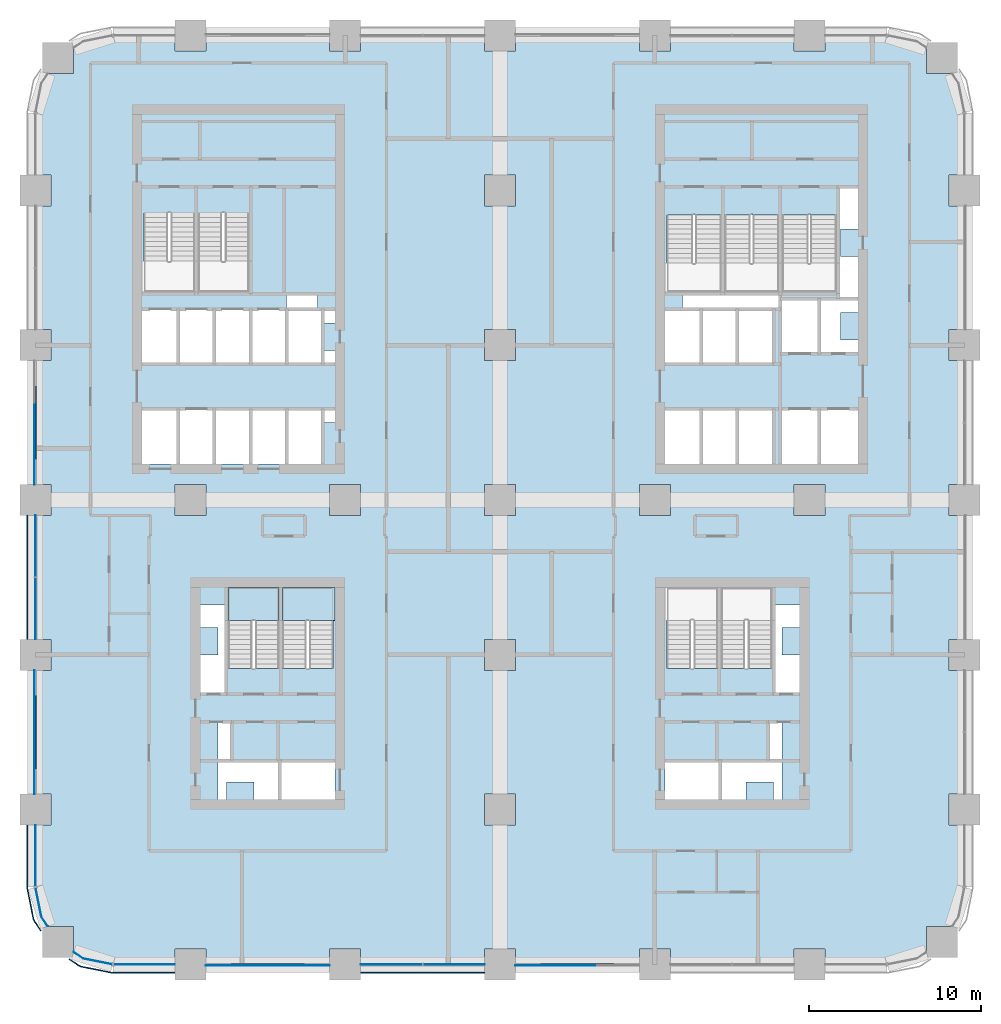
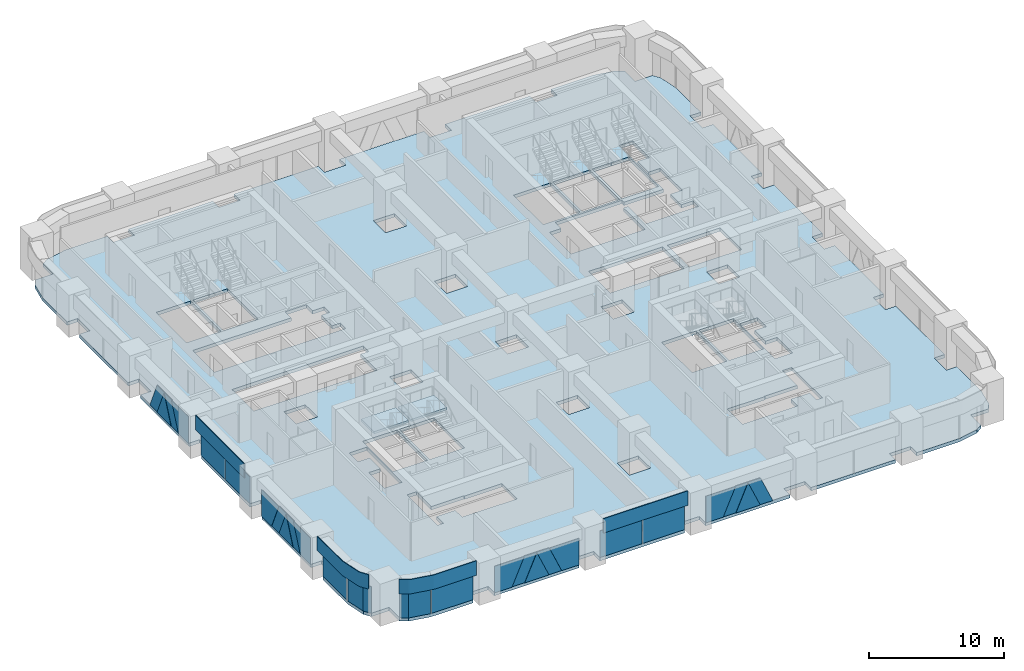
# One storey, part 10 of 21: 26 plates, 3 slabs, 10 elements without a shape of their own.
"""IFC4 building model written with IfcOpenShell, lengths in metres."""

from ifc_helpers import new_model, si_unit, direction, frame, origin, origin_2d, place, context, subcontext, project, spatial, polyline, rectangle, outline, extrude, material, layer, layer_set, type_object, element, aggregate, save


model = new_model("IFC4")

# Units and contexts
model_context = context("Model", 3, precision=1e-05, world=origin(), true_north=direction((0.0, 1.0)))
body_context = subcontext(model_context, "Body", "Model", "MODEL_VIEW")
ifc_project = project(units=[si_unit("LENGTHUNIT", "METRE"), si_unit("AREAUNIT", "SQUARE_METRE"), si_unit("VOLUMEUNIT", "CUBIC_METRE"), si_unit("PLANEANGLEUNIT", "RADIAN"), si_unit("MASSUNIT", "GRAM", prefix="KILO")], contexts=[model_context])

# Site, building, storey
site_placement = place(None, origin())
site = spatial("IfcSite", under=ifc_project, at=site_placement, CompositionType="ELEMENT")
building_placement = place(site_placement, origin())
building = spatial("IfcBuilding", under=site, at=building_placement, Name="Tessera Arch", CompositionType="ELEMENT")
storey_placement = place(building_placement, frame((0.0, 0.0, 65.199951171875)))
storey = spatial("IfcBuildingStorey", under=building, at=storey_placement, Name="L14", CompositionType="ELEMENT", Elevation=65.199951171875)

# Curtain wall, plates
ifc_material_1 = material(Name="CW1 curtain wall")
curtain_wall_type_1 = type_object("IfcCurtainWallType", Name="CW1 curtain wall", PredefinedType="NOTDEFINED", material=ifc_material_1)
curtain_wall_1_placement = place(storey_placement, origin())
curtain_wall_1 = element("IfcCurtainWall", 1, at=curtain_wall_1_placement, inside=storey, type_object=curtain_wall_type_1, Name="CW1 curtain wall S0.0/1 L14", PredefinedType="NOTDEFINED")
ifc_material_2 = material(Name="Clear low-e glass", Category="glass")
ifc_material_3 = material(Name="Clear low-e glass", Category="glass")
ifc_layer_1 = layer(ifc_material_3, 0.028076171875)
ifc_layer_set_1 = layer_set([ifc_layer_1], Name="CW1 glass panel")
plate_type_1 = type_object("IfcPlateType", Name="CW1 glass panel", PredefinedType="CURTAIN_PANEL", material=ifc_layer_set_1)
plate_1_placement = place(storey_placement, frame((20.68505859375, 0.0, 0.0), z_axis=(0.0, 0.0, 1.0), x_axis=(1.0, 0.0, 0.0)))
plate_1 = element("IfcPlate", 2, at=plate_1_placement, type_object=plate_type_1, material=ifc_material_2, Name="CW1 glass panel S0.0/1 1.1.1", PredefinedType="CURTAIN_PANEL", context=body_context, shape_type="SweptSolid", body=[
    extrude(rectangle(XDim=3.570068359375, YDim=0.028076171875, at=origin_2d()), origin(), (0.0, 0.0, 1.0), 2.39990234375),
])
plate_2_placement = place(storey_placement, frame((24.31494140625, 0.0, 0.0), z_axis=(0.0, 0.0, 1.0), x_axis=(1.0, 0.0, 0.0)))
plate_2 = element("IfcPlate", 3, at=plate_2_placement, type_object=plate_type_1, material=ifc_material_2, Name="CW1 glass panel S0.0/1 1.2.1", PredefinedType="CURTAIN_PANEL", context=body_context, shape_type="SweptSolid", body=[
    extrude(rectangle(XDim=3.570068359375, YDim=0.028076171875, at=origin_2d()), origin(), (0.0, 0.0, 1.0), 2.39990234375),
])

curtain_wall_2_placement = place(storey_placement, origin())
curtain_wall_2 = element("IfcCurtainWall", 4, at=curtain_wall_2_placement, inside=storey, type_object=curtain_wall_type_1, Name="CW1 curtain wall W0.0/3 L14", PredefinedType="NOTDEFINED")
plate_3_placement = place(storey_placement, frame((0.0, 24.31494140625, 0.0), z_axis=(0.0, 0.0, 1.0), x_axis=(0.0, -1.0, 0.0)))
plate_3 = element("IfcPlate", 5, at=plate_3_placement, type_object=plate_type_1, material=ifc_material_2, Name="CW1 glass panel W0.0/3 1.1.1", PredefinedType="CURTAIN_PANEL", context=body_context, shape_type="SweptSolid", body=[
    extrude(rectangle(XDim=3.570068359375, YDim=0.028076171875, at=origin_2d()), origin(), (0.0, 0.0, 1.0), 2.39990234375),
])
plate_4_placement = place(storey_placement, frame((0.0, 20.68505859375, 0.0), z_axis=(0.0, 0.0, 1.0), x_axis=(0.0, -1.0, 0.0)))
plate_4 = element("IfcPlate", 6, at=plate_4_placement, type_object=plate_type_1, material=ifc_material_2, Name="CW1 glass panel W0.0/3 1.2.1", PredefinedType="CURTAIN_PANEL", context=body_context, shape_type="SweptSolid", body=[
    extrude(rectangle(XDim=3.570068359375, YDim=0.028076171875, at=origin_2d()), origin(), (0.0, 0.0, 1.0), 2.39990234375),
])

# Plate
ifc_material_4 = material(Name="Pale anodised aluminium panel", Category="aluminium")
ifc_layer_2 = layer(ifc_material_4, 0.06005859375)
ifc_layer_set_2 = layer_set([ifc_layer_2], Name="CW1 spandrel panel")
plate_type_2 = type_object("IfcPlateType", Name="CW1 spandrel panel", PredefinedType="CURTAIN_PANEL", material=ifc_layer_set_2)
plate_5_placement = place(storey_placement, frame((22.5, -0.47998046875, 2.5), z_axis=(0.0, 0.0, 1.0), x_axis=(1.0, 0.0, 0.0)))
plate_5 = element("IfcPlate", 7, at=plate_5_placement, type_object=plate_type_2, Name="CW1 spandrel panel S0.0/1", PredefinedType="CURTAIN_PANEL", context=body_context, shape_type="SweptSolid", body=[
    extrude(rectangle(XDim=7.199951171875, YDim=0.06005859375, at=origin_2d()), origin(), (0.0, 0.0, 1.0), 1.300048828125),
])

aggregate(curtain_wall_1, [plate_1, plate_2, plate_5])

plate_6_placement = place(storey_placement, frame((-0.47998046875, 22.5, 2.5), z_axis=(0.0, 0.0, 1.0), x_axis=(0.0, -1.0, 0.0)))
plate_6 = element("IfcPlate", 8, at=plate_6_placement, type_object=plate_type_2, Name="CW1 spandrel panel W0.0/3", PredefinedType="CURTAIN_PANEL", context=body_context, shape_type="SweptSolid", body=[
    extrude(rectangle(XDim=7.199951171875, YDim=0.06005859375, at=origin_2d()), origin(), (0.0, 0.0, 1.0), 1.300048828125),
])

aggregate(curtain_wall_2, [plate_3, plate_4, plate_6])

# Curtain wall, plates
ifc_material_5 = material(Name="CW2 curtain wall")
curtain_wall_type_2 = type_object("IfcCurtainWallType", Name="CW2 curtain wall", PredefinedType="NOTDEFINED", material=ifc_material_5)
curtain_wall_3_placement = place(storey_placement, origin())
curtain_wall_3 = element("IfcCurtainWall", 9, at=curtain_wall_3_placement, inside=storey, type_object=curtain_wall_type_2, Name="CW2 curtain wall W0.0/5 L14", PredefinedType="NOTDEFINED")
ifc_material_6 = material(Name="Clear low-e glass", Category="glass")
ifc_layer_3 = layer(ifc_material_6, 0.028076171875)
ifc_layer_set_3 = layer_set([ifc_layer_3], Name="CW2 glass panel")
plate_type_3 = type_object("IfcPlateType", Name="CW2 glass panel", PredefinedType="CURTAIN_PANEL", material=ifc_layer_set_3)
plate_7_placement = place(storey_placement, frame((0.0, 6.320068359375, 0.0), z_axis=(0.0, 0.0, 1.0), x_axis=(0.0, -1.0, 0.0)))
plate_7 = element("IfcPlate", 10, at=plate_7_placement, type_object=plate_type_3, material=ifc_material_2, Name="CW2 glass panel W0.0/5 1.1", PredefinedType="CURTAIN_PANEL", context=body_context, shape_type="SweptSolid", body=[
    extrude(rectangle(XDim=3.56005859375, YDim=0.028076171875, at=origin_2d()), origin(), (0.0, 0.0, 1.0), 2.39990234375),
])
plate_8_placement = place(storey_placement, origin())
plate_8 = element("IfcPlate", 11, at=plate_8_placement, type_object=plate_type_3, material=ifc_material_2, Name="CW2 curved glass panel W0.0/5 2.1", PredefinedType="CURTAIN_PANEL", context=body_context, shape_type="SweptSolid", body=[
    extrude(outline(polyline([(0.355712890625, 2.783447265625), (0.021484375, 4.46337890625), (-0.005859375, 4.4580078125), (0.329345703125, 2.7724609375), (0.705078125, 2.210205078125), (0.728271484375, 2.225830078125), (0.355712890625, 2.783447265625)])), origin(), (0.0, 0.0, 1.0), 2.400146484375),
])

curtain_wall_4_placement = place(storey_placement, origin())
curtain_wall_4 = element("IfcCurtainWall", 12, at=curtain_wall_4_placement, inside=storey, type_object=curtain_wall_type_2, Name="CW2 curtain wall S0.0/5 L14", PredefinedType="NOTDEFINED")
plate_9_placement = place(storey_placement, frame((6.320068359375, 0.0, 0.0), z_axis=(0.0, 0.0, 1.0), x_axis=(1.0, 0.0, 0.0)))
plate_9 = element("IfcPlate", 13, at=plate_9_placement, type_object=plate_type_3, material=ifc_material_2, Name="CW2 glass panel S0.0/5 1.1", PredefinedType="CURTAIN_PANEL", context=body_context, shape_type="SweptSolid", body=[
    extrude(rectangle(XDim=3.56005859375, YDim=0.028076171875, at=origin_2d()), origin(), (0.0, 0.0, 1.0), 2.39990234375),
])
plate_10_placement = place(storey_placement, origin())
plate_10 = element("IfcPlate", 14, at=plate_10_placement, type_object=plate_type_3, material=ifc_material_2, Name="CW2 curved glass panel S0.0/5 2.1", PredefinedType="CURTAIN_PANEL", context=body_context, shape_type="SweptSolid", body=[
    extrude(outline(polyline([(2.783447265625, 0.355712890625), (2.225830078125, 0.728271484375), (2.210205078125, 0.705078125), (2.7724609375, 0.329345703125), (4.4580078125, -0.005859375), (4.46337890625, 0.021484375), (2.783447265625, 0.355712890625)])), origin(), (0.0, 0.0, 1.0), 2.400146484375),
])

# Plate
ifc_material_7 = material(Name="Pale anodised aluminium panel", Category="aluminium")
ifc_layer_4 = layer(ifc_material_7, 0.06005859375)
ifc_layer_set_4 = layer_set([ifc_layer_4], Name="CW2 spandrel panel")
plate_type_4 = type_object("IfcPlateType", Name="CW2 spandrel panel", PredefinedType="CURTAIN_PANEL", material=ifc_layer_set_4)
plate_11_placement = place(storey_placement, frame((0.0, 0.0, 2.5)))
plate_11 = element("IfcPlate", 15, at=plate_11_placement, type_object=plate_type_4, Name="CW2 spandrel panel W0.0/5", PredefinedType="CURTAIN_PANEL", context=body_context, shape_type="SweptSolid", body=[
    extrude(outline(polyline([(-0.449951171875, 4.500732421875), (-0.449951171875, 8.10009765625), (-0.510009765625, 8.10009765625), (-0.510009765625, 4.499267578125), (-0.507568359375, 4.449951171875), (-0.500244140625, 4.401123046875), (-0.157470703125, 2.677734375), (-0.1455078125, 2.6298828125), (-0.128662109375, 2.582763671875), (-0.107177734375, 2.537353515625), (-0.08203125, 2.4951171875), (0.292724609375, 1.9345703125), (0.342529296875, 1.968017578125), (-0.03125, 2.52734375), (-0.05419921875, 2.565673828125), (-0.0732421875, 2.605712890625), (-0.088134765625, 2.647216796875), (-0.09912109375, 2.69091796875), (-0.441162109375, 4.411376953125), (-0.44775390625, 4.455810546875), (-0.449951171875, 4.500732421875)])), origin(), (0.0, 0.0, 1.0), 1.300048828125),
])

aggregate(curtain_wall_3, [plate_7, plate_8, plate_11])

plate_12_placement = place(storey_placement, frame((0.0, 0.0, 2.5)))
plate_12 = element("IfcPlate", 16, at=plate_12_placement, type_object=plate_type_4, Name="CW2 spandrel panel S0.0/5", PredefinedType="CURTAIN_PANEL", context=body_context, shape_type="SweptSolid", body=[
    extrude(outline(polyline([(2.52734375, -0.03125), (1.968017578125, 0.342529296875), (1.9345703125, 0.292724609375), (2.4951171875, -0.08203125), (2.537353515625, -0.107177734375), (2.582763671875, -0.128662109375), (2.6298828125, -0.1455078125), (2.677734375, -0.157470703125), (4.401123046875, -0.500244140625), (4.449951171875, -0.507568359375), (4.499267578125, -0.510009765625), (8.10009765625, -0.510009765625), (8.10009765625, -0.449951171875), (4.500732421875, -0.449951171875), (4.455810546875, -0.44775390625), (4.411376953125, -0.441162109375), (2.69091796875, -0.09912109375), (2.647216796875, -0.088134765625), (2.605712890625, -0.0732421875), (2.565673828125, -0.05419921875), (2.52734375, -0.03125)])), origin(), (0.0, 0.0, 1.0), 1.300048828125),
])

aggregate(curtain_wall_4, [plate_9, plate_10, plate_12])

# Curtain wall, plate
ifc_material_8 = material(Name="CW3 curtain wall")
curtain_wall_type_3 = type_object("IfcCurtainWallType", Name="CW3 curtain wall", PredefinedType="NOTDEFINED", material=ifc_material_8)
curtain_wall_5_placement = place(storey_placement, origin())
curtain_wall_5 = element("IfcCurtainWall", 17, at=curtain_wall_5_placement, inside=storey, type_object=curtain_wall_type_3, Name="CW3 curtain wall S0.0/0 L14", PredefinedType="NOTDEFINED")
ifc_material_9 = material(Name="Pale anodised aluminium panel", Category="aluminium")
ifc_layer_5 = layer(ifc_material_9, 0.06005859375)
ifc_layer_set_5 = layer_set([ifc_layer_5], Name="CW3 diagonal panel")
plate_type_5 = type_object("IfcPlateType", Name="CW3 diagonal panel", PredefinedType="CURTAIN_PANEL", material=ifc_layer_set_5)
plate_13_placement = place(storey_placement, frame((14.569580078125, -0.030029296875, 2.400146484375), z_axis=(0.0, -1.0, 0.0), x_axis=(-1.0, 0.0, 0.0)))
plate_13 = element("IfcPlate", 18, at=plate_13_placement, type_object=plate_type_5, Name="CW3 diagonal panel S0.0/0 1", PredefinedType="CURTAIN_PANEL", context=body_context, shape_type="SweptSolid", body=[
    extrude(outline(polyline([(0.0, 0.0), (2.13916015625, 0.0), (3.19287109375, 2.400146484375), (2.107177734375, 2.400146484375), (1.069580078125, 0.036376953125), (0.031982421875, 2.400146484375), (-1.0537109375, 2.400146484375), (0.0, 0.0)])), origin(), (0.0, 0.0, -1.0), 0.06005859375),
])

curtain_wall_6_placement = place(storey_placement, origin())
curtain_wall_6 = element("IfcCurtainWall", 19, at=curtain_wall_6_placement, inside=storey, type_object=curtain_wall_type_3, Name="CW3 curtain wall S0.0/2 L14", PredefinedType="NOTDEFINED")
plate_14_placement = place(storey_placement, frame((32.569580078125, -0.030029296875, 2.400146484375), z_axis=(0.0, -1.0, 0.0), x_axis=(-1.0, 0.0, 0.0)))
plate_14 = element("IfcPlate", 20, at=plate_14_placement, type_object=plate_type_5, Name="CW3 diagonal panel S0.0/2 1", PredefinedType="CURTAIN_PANEL", context=body_context, shape_type="SweptSolid", body=[
    extrude(outline(polyline([(0.0, 0.0), (2.13916015625, 0.0), (3.19287109375, 2.400146484375), (2.107177734375, 2.400146484375), (1.069580078125, 0.036376953125), (0.031982421875, 2.400146484375), (-1.0537109375, 2.400146484375), (0.0, 0.0)])), origin(), (0.0, 0.0, -1.0), 0.06005859375),
])

curtain_wall_7_placement = place(storey_placement, origin())
curtain_wall_7 = element("IfcCurtainWall", 21, at=curtain_wall_7_placement, inside=storey, type_object=curtain_wall_type_3, Name="CW3 curtain wall W0.0/2 L14", PredefinedType="NOTDEFINED")
plate_15_placement = place(storey_placement, frame((-0.030029296875, 30.430419921875, 2.400146484375), z_axis=(-1.0, 0.0, 0.0), x_axis=(0.0, 1.0, 0.0)))
plate_15 = element("IfcPlate", 22, at=plate_15_placement, type_object=plate_type_5, Name="CW3 diagonal panel W0.0/2 1", PredefinedType="CURTAIN_PANEL", context=body_context, shape_type="SweptSolid", body=[
    extrude(outline(polyline([(0.0, 0.0), (2.13916015625, 0.0), (3.19287109375, 2.400146484375), (2.107177734375, 2.400146484375), (1.069580078125, 0.036376953125), (0.031982421875, 2.400146484375), (-1.0537109375, 2.400146484375), (0.0, 0.0)])), origin(), (0.0, 0.0, -1.0), 0.06005859375),
])

curtain_wall_8_placement = place(storey_placement, origin())
curtain_wall_8 = element("IfcCurtainWall", 23, at=curtain_wall_8_placement, inside=storey, type_object=curtain_wall_type_3, Name="CW3 curtain wall W0.0/4 L14", PredefinedType="NOTDEFINED")
plate_16_placement = place(storey_placement, frame((-0.030029296875, 12.430419921875, 2.400146484375), z_axis=(-1.0, 0.0, 0.0), x_axis=(0.0, 1.0, 0.0)))
plate_16 = element("IfcPlate", 24, at=plate_16_placement, type_object=plate_type_5, Name="CW3 diagonal panel W0.0/4 1", PredefinedType="CURTAIN_PANEL", context=body_context, shape_type="SweptSolid", body=[
    extrude(outline(polyline([(0.0, 0.0), (2.13916015625, 0.0), (3.19287109375, 2.400146484375), (2.107177734375, 2.400146484375), (1.069580078125, 0.036376953125), (0.031982421875, 2.400146484375), (-1.0537109375, 2.400146484375), (0.0, 0.0)])), origin(), (0.0, 0.0, -1.0), 0.06005859375),
])

# Plate
ifc_material_10 = material(Name="Clear low-e glass", Category="glass")
ifc_layer_6 = layer(ifc_material_10, 0.028076171875)
ifc_layer_set_6 = layer_set([ifc_layer_6], Name="CW3 glass panel")
plate_type_6 = type_object("IfcPlateType", Name="CW3 glass panel", PredefinedType="CURTAIN_PANEL", material=ifc_layer_set_6)
plate_17_placement = place(storey_placement, frame((9.89990234375, -0.05810546875, 0.0), z_axis=(0.0, -1.0, 0.0), x_axis=(1.0, 0.0, 0.0)))
plate_17 = element("IfcPlate", 25, at=plate_17_placement, type_object=plate_type_6, material=ifc_material_2, Name="CW3 triangulated glass panel S0.0/0 1", PredefinedType="CURTAIN_PANEL", context=body_context, shape_type="SweptSolid", body=[
    extrude(outline(polyline([(0.0, 0.0), (1.476806640625, 0.0), (2.530517578125, 2.400146484375), (0.0, 2.400146484375), (0.0, 0.0)])), origin(), (0.0, 0.0, -1.0), 0.028076171875),
])

plate_18_placement = place(storey_placement, frame((12.46240234375, -0.05810546875, 0.0), z_axis=(0.0, -1.0, 0.0), x_axis=(1.0, 0.0, 0.0)))
plate_18 = element("IfcPlate", 26, at=plate_18_placement, type_object=plate_type_6, material=ifc_material_2, Name="CW3 triangulated glass panel S0.0/0 2", PredefinedType="CURTAIN_PANEL", context=body_context, shape_type="SweptSolid", body=[
    extrude(outline(polyline([(0.0, 0.0), (2.0751953125, 0.0), (1.03759765625, 2.36376953125), (0.0, 0.0)])), origin(), (0.0, 0.0, -1.0), 0.028076171875),
])

plate_19_placement = place(storey_placement, frame((17.10009765625, -0.05810546875, 2.400146484375), z_axis=(0.0, -1.0, 0.0), x_axis=(-1.0, 0.0, 0.0)))
plate_19 = element("IfcPlate", 27, at=plate_19_placement, type_object=plate_type_6, material=ifc_material_2, Name="CW3 triangulated glass panel S0.0/0 3", PredefinedType="CURTAIN_PANEL", context=body_context, shape_type="SweptSolid", body=[
    extrude(outline(polyline([(0.0, 0.0), (2.530517578125, 0.0), (1.476806640625, 2.400146484375), (0.0, 2.400146484375), (0.0, 0.0)])), origin(), (0.0, 0.0, -1.0), 0.028076171875),
])

aggregate(curtain_wall_5, [plate_17, plate_18, plate_19, plate_13])

plate_20_placement = place(storey_placement, frame((27.89990234375, -0.05810546875, 0.0), z_axis=(0.0, -1.0, 0.0), x_axis=(1.0, 0.0, 0.0)))
plate_20 = element("IfcPlate", 28, at=plate_20_placement, type_object=plate_type_6, material=ifc_material_2, Name="CW3 triangulated glass panel S0.0/2 1", PredefinedType="CURTAIN_PANEL", context=body_context, shape_type="SweptSolid", body=[
    extrude(outline(polyline([(0.0, 0.0), (1.476806640625, 0.0), (2.530517578125, 2.400146484375), (0.0, 2.400146484375), (0.0, 0.0)])), origin(), (0.0, 0.0, -1.0), 0.028076171875),
])

plate_21_placement = place(storey_placement, frame((30.46240234375, -0.05810546875, 0.0), z_axis=(0.0, -1.0, 0.0), x_axis=(1.0, 0.0, 0.0)))
plate_21 = element("IfcPlate", 29, at=plate_21_placement, type_object=plate_type_6, material=ifc_material_2, Name="CW3 triangulated glass panel S0.0/2 2", PredefinedType="CURTAIN_PANEL", context=body_context, shape_type="SweptSolid", body=[
    extrude(outline(polyline([(0.0, 0.0), (2.0751953125, 0.0), (1.03759765625, 2.36376953125), (0.0, 0.0)])), origin(), (0.0, 0.0, -1.0), 0.028076171875),
])

aggregate(curtain_wall_6, [plate_20, plate_21, plate_14])

plate_22_placement = place(storey_placement, frame((-0.05810546875, 32.53759765625, 0.0), z_axis=(-1.0, 0.0, 0.0), x_axis=(0.0, -1.0, 0.0)))
plate_22 = element("IfcPlate", 30, at=plate_22_placement, type_object=plate_type_6, material=ifc_material_2, Name="CW3 triangulated glass panel W0.0/2 2", PredefinedType="CURTAIN_PANEL", context=body_context, shape_type="SweptSolid", body=[
    extrude(outline(polyline([(0.0, 0.0), (2.0751953125, 0.0), (1.03759765625, 2.36376953125), (0.0, 0.0)])), origin(), (0.0, 0.0, -1.0), 0.028076171875),
])

plate_23_placement = place(storey_placement, frame((-0.05810546875, 27.89990234375, 2.400146484375), z_axis=(-1.0, 0.0, 0.0), x_axis=(0.0, 1.0, 0.0)))
plate_23 = element("IfcPlate", 31, at=plate_23_placement, type_object=plate_type_6, material=ifc_material_2, Name="CW3 triangulated glass panel W0.0/2 3", PredefinedType="CURTAIN_PANEL", context=body_context, shape_type="SweptSolid", body=[
    extrude(outline(polyline([(0.0, 0.0), (2.530517578125, 0.0), (1.476806640625, 2.400146484375), (0.0, 2.400146484375), (0.0, 0.0)])), origin(), (0.0, 0.0, -1.0), 0.028076171875),
])

aggregate(curtain_wall_7, [plate_22, plate_23, plate_15])

plate_24_placement = place(storey_placement, frame((-0.05810546875, 17.10009765625, 0.0), z_axis=(-1.0, 0.0, 0.0), x_axis=(0.0, -1.0, 0.0)))
plate_24 = element("IfcPlate", 32, at=plate_24_placement, type_object=plate_type_6, material=ifc_material_2, Name="CW3 triangulated glass panel W0.0/4 1", PredefinedType="CURTAIN_PANEL", context=body_context, shape_type="SweptSolid", body=[
    extrude(outline(polyline([(0.0, 0.0), (1.476806640625, 0.0), (2.530517578125, 2.400146484375), (0.0, 2.400146484375), (0.0, 0.0)])), origin(), (0.0, 0.0, -1.0), 0.028076171875),
])

plate_25_placement = place(storey_placement, frame((-0.05810546875, 14.53759765625, 0.0), z_axis=(-1.0, 0.0, 0.0), x_axis=(0.0, -1.0, 0.0)))
plate_25 = element("IfcPlate", 33, at=plate_25_placement, type_object=plate_type_6, material=ifc_material_2, Name="CW3 triangulated glass panel W0.0/4 2", PredefinedType="CURTAIN_PANEL", context=body_context, shape_type="SweptSolid", body=[
    extrude(outline(polyline([(0.0, 0.0), (2.0751953125, 0.0), (1.03759765625, 2.36376953125), (0.0, 0.0)])), origin(), (0.0, 0.0, -1.0), 0.028076171875),
])

plate_26_placement = place(storey_placement, frame((-0.05810546875, 9.89990234375, 2.400146484375), z_axis=(-1.0, 0.0, 0.0), x_axis=(0.0, 1.0, 0.0)))
plate_26 = element("IfcPlate", 34, at=plate_26_placement, type_object=plate_type_6, material=ifc_material_2, Name="CW3 triangulated glass panel W0.0/4 3", PredefinedType="CURTAIN_PANEL", context=body_context, shape_type="SweptSolid", body=[
    extrude(outline(polyline([(0.0, 0.0), (2.530517578125, 0.0), (1.476806640625, 2.400146484375), (0.0, 2.400146484375), (0.0, 0.0)])), origin(), (0.0, 0.0, -1.0), 0.028076171875),
])

aggregate(curtain_wall_8, [plate_24, plate_25, plate_26, plate_16])

# Slab
ifc_material_11 = material(Name="Concrete C40/50", Category="concrete")
ifc_layer_7 = layer(ifc_material_11, 0.300048828125)
ifc_layer_set_7 = layer_set([ifc_layer_7], Name="Floor slab 300 Concrete C40/50")
slab_type_1 = type_object("IfcSlabType", Name="Floor slab 300 Concrete C40/50", PredefinedType="FLOOR", material=ifc_layer_set_7)
slab_1_placement = place(storey_placement, frame((0.0, 0.0, -0.300048828125)))
element("IfcSlab", 35, at=slab_1_placement, inside=storey, type_object=slab_type_1, Name="Floor slab L14 1", PredefinedType="FLOOR", context=body_context, shape_type="SweptSolid", body=[
    extrude(outline(polyline([(4.5, 0.0), (2.77783203125, 0.342529296875), (2.218017578125, 0.716552734375), (2.218017578125, 2.218017578125), (0.716552734375, 2.218017578125), (0.342529296875, 2.77783203125), (0.0, 4.5), (0.0, 8.10009765625), (0.89990234375, 8.10009765625), (0.89990234375, 9.89990234375), (0.0, 9.89990234375), (0.0, 17.10009765625), (0.89990234375, 17.10009765625), (0.89990234375, 18.89990234375), (0.0, 18.89990234375), (0.0, 26.10009765625), (0.89990234375, 26.10009765625), (0.89990234375, 27.89990234375), (0.0, 27.89990234375), (0.0, 35.10009765625), (0.89990234375, 35.10009765625), (0.89990234375, 36.89990234375), (0.0, 36.89990234375), (0.0, 44.10009765625), (0.89990234375, 44.10009765625), (0.89990234375, 45.89990234375), (0.0, 45.89990234375), (0.0, 49.5), (0.342529296875, 51.22216796875), (0.716552734375, 51.781982421875), (2.218017578125, 51.781982421875), (2.218017578125, 53.283447265625), (2.77783203125, 53.657470703125), (4.5, 54.0), (8.10009765625, 54.0), (8.10009765625, 53.10009765625), (9.89990234375, 53.10009765625), (9.89990234375, 54.0), (17.10009765625, 54.0), (17.10009765625, 53.10009765625), (18.89990234375, 53.10009765625), (18.89990234375, 54.0), (26.10009765625, 54.0), (26.10009765625, 53.10009765625), (27.89990234375, 53.10009765625), (27.89990234375, 54.0), (35.10009765625, 54.0), (35.10009765625, 53.10009765625), (36.89990234375, 53.10009765625), (36.89990234375, 54.0), (44.10009765625, 54.0), (44.10009765625, 53.10009765625), (45.89990234375, 53.10009765625), (45.89990234375, 54.0), (49.5, 54.0), (51.22216796875, 53.657470703125), (51.781982421875, 53.283447265625), (51.781982421875, 51.781982421875), (53.283447265625, 51.781982421875), (53.657470703125, 51.22216796875), (54.0, 49.5), (54.0, 45.89990234375), (53.10009765625, 45.89990234375), (53.10009765625, 44.10009765625), (54.0, 44.10009765625), (54.0, 36.89990234375), (53.10009765625, 36.89990234375), (53.10009765625, 35.10009765625), (54.0, 35.10009765625), (54.0, 27.89990234375), (53.10009765625, 27.89990234375), (53.10009765625, 26.10009765625), (54.0, 26.10009765625), (54.0, 18.89990234375), (53.10009765625, 18.89990234375), (53.10009765625, 17.10009765625), (54.0, 17.10009765625), (54.0, 9.89990234375), (53.10009765625, 9.89990234375), (53.10009765625, 8.10009765625), (54.0, 8.10009765625), (54.0, 4.5), (53.657470703125, 2.77783203125), (53.283447265625, 2.218017578125), (51.781982421875, 2.218017578125), (51.781982421875, 0.716552734375), (51.22216796875, 0.342529296875), (49.5, 0.0), (45.89990234375, 0.0), (45.89990234375, 0.89990234375), (44.10009765625, 0.89990234375), (44.10009765625, 0.0), (36.89990234375, 0.0), (36.89990234375, 0.89990234375), (35.10009765625, 0.89990234375), (35.10009765625, 0.0), (27.89990234375, 0.0), (27.89990234375, 0.89990234375), (26.10009765625, 0.89990234375), (26.10009765625, 0.0), (18.89990234375, 0.0), (18.89990234375, 0.89990234375), (17.10009765625, 0.89990234375), (17.10009765625, 0.0), (9.89990234375, 0.0), (9.89990234375, 0.89990234375), (8.10009765625, 0.89990234375), (8.10009765625, 0.0), (4.5, 0.0)]), holes=[polyline([(11.10009765625, 9.60009765625), (11.10009765625, 10.60009765625), (12.699951171875, 10.60009765625), (12.699951171875, 9.60009765625), (14.199951171875, 9.60009765625), (17.39990234375, 9.60009765625), (17.39990234375, 11.85009765625), (14.199951171875, 11.85009765625), (14.199951171875, 11.89990234375), (11.39990234375, 11.89990234375), (11.39990234375, 14.10009765625), (10.60009765625, 14.10009765625), (10.60009765625, 11.89990234375), (10.60009765625, 9.60009765625), (11.10009765625, 9.60009765625)]), polyline([(9.60009765625, 19.60009765625), (10.60009765625, 19.60009765625), (10.60009765625, 18.0), (9.60009765625, 18.0), (9.60009765625, 15.699951171875), (11.10009765625, 15.699951171875), (11.10009765625, 20.89990234375), (9.60009765625, 20.89990234375), (9.60009765625, 19.60009765625)]), polyline([(12.60009765625, 17.2099609375), (12.60009765625, 17.199951171875), (12.75, 17.199951171875), (12.75, 17.2099609375), (14.14990234375, 17.2099609375), (14.14990234375, 21.699951171875), (11.199951171875, 21.699951171875), (11.199951171875, 17.2099609375), (12.60009765625, 17.2099609375)]), polyline([(8.10009765625, 26.10009765625), (9.89990234375, 26.10009765625), (9.89990234375, 27.89990234375), (8.10009765625, 27.89990234375), (8.10009765625, 26.10009765625)]), polyline([(12.5, 29.10009765625), (14.60009765625, 29.10009765625), (16.699951171875, 29.10009765625), (16.699951171875, 31.5), (17.39990234375, 31.5), (17.39990234375, 32.300048828125), (16.699951171875, 32.300048828125), (14.60009765625, 32.300048828125), (12.5, 32.300048828125), (10.39990234375, 32.300048828125), (8.300048828125, 32.300048828125), (6.199951171875, 32.300048828125), (6.199951171875, 29.10009765625), (8.300048828125, 29.10009765625), (10.39990234375, 29.10009765625), (12.5, 29.10009765625)]), polyline([(10.39990234375, 38.10009765625), (8.300048828125, 38.10009765625), (6.199951171875, 38.10009765625), (6.199951171875, 34.89990234375), (8.300048828125, 34.89990234375), (10.39990234375, 34.89990234375), (12.5, 34.89990234375), (14.60009765625, 34.89990234375), (16.699951171875, 34.89990234375), (17.39990234375, 34.89990234375), (17.39990234375, 35.699951171875), (16.699951171875, 35.699951171875), (16.699951171875, 37.300048828125), (17.39990234375, 37.300048828125), (17.39990234375, 38.10009765625), (16.699951171875, 38.10009765625), (16.39990234375, 38.10009765625), (16.39990234375, 39.0), (14.60009765625, 39.0), (14.60009765625, 38.10009765625), (12.5, 38.10009765625), (10.39990234375, 38.10009765625)]), polyline([(11.0, 43.699951171875), (10.85009765625, 43.699951171875), (10.85009765625, 43.68994140625), (9.449951171875, 43.68994140625), (9.449951171875, 39.199951171875), (12.39990234375, 39.199951171875), (12.39990234375, 43.68994140625), (11.0, 43.68994140625), (11.0, 43.699951171875)]), polyline([(7.85009765625, 43.699951171875), (7.699951171875, 43.699951171875), (7.699951171875, 43.68994140625), (6.300048828125, 43.68994140625), (6.300048828125, 39.199951171875), (9.25, 39.199951171875), (9.25, 43.68994140625), (7.85009765625, 43.68994140625), (7.85009765625, 43.699951171875)]), polyline([(26.10009765625, 8.10009765625), (27.89990234375, 8.10009765625), (27.89990234375, 9.89990234375), (26.10009765625, 9.89990234375), (26.10009765625, 8.10009765625)]), polyline([(39.800048828125, 9.60009765625), (41.300048828125, 9.60009765625), (41.300048828125, 10.60009765625), (42.89990234375, 10.60009765625), (42.89990234375, 9.60009765625), (43.39990234375, 9.60009765625), (43.39990234375, 11.89990234375), (43.39990234375, 14.10009765625), (42.60009765625, 14.10009765625), (42.60009765625, 11.89990234375), (39.800048828125, 11.89990234375), (39.800048828125, 11.85009765625), (36.60009765625, 11.85009765625), (36.60009765625, 9.60009765625), (39.800048828125, 9.60009765625)]), polyline([(26.10009765625, 18.89990234375), (26.10009765625, 17.10009765625), (27.89990234375, 17.10009765625), (27.89990234375, 18.89990234375), (26.10009765625, 18.89990234375)]), polyline([(15.75, 17.199951171875), (15.89990234375, 17.199951171875), (15.89990234375, 17.2099609375), (17.300048828125, 17.2099609375), (17.300048828125, 21.699951171875), (14.35009765625, 21.699951171875), (14.35009765625, 17.2099609375), (15.75, 17.2099609375), (15.75, 17.199951171875)]), polyline([(38.10009765625, 17.199951171875), (38.25, 17.199951171875), (38.25, 17.2099609375), (39.64990234375, 17.2099609375), (39.64990234375, 21.699951171875), (36.699951171875, 21.699951171875), (36.699951171875, 17.2099609375), (38.10009765625, 17.2099609375), (38.10009765625, 17.199951171875)]), polyline([(17.10009765625, 26.10009765625), (18.89990234375, 26.10009765625), (18.89990234375, 27.89990234375), (17.10009765625, 27.89990234375), (17.10009765625, 26.10009765625)]), polyline([(26.10009765625, 27.89990234375), (26.10009765625, 26.10009765625), (27.89990234375, 26.10009765625), (27.89990234375, 27.89990234375), (26.10009765625, 27.89990234375)]), polyline([(35.10009765625, 27.89990234375), (35.10009765625, 26.10009765625), (36.89990234375, 26.10009765625), (36.89990234375, 27.89990234375), (35.10009765625, 27.89990234375)]), polyline([(36.60009765625, 32.300048828125), (36.60009765625, 29.10009765625), (38.699951171875, 29.10009765625), (40.800048828125, 29.10009765625), (42.89990234375, 29.10009765625), (42.89990234375, 32.300048828125), (40.800048828125, 32.300048828125), (38.699951171875, 32.300048828125), (36.60009765625, 32.300048828125)]), polyline([(26.10009765625, 35.10009765625), (27.89990234375, 35.10009765625), (27.89990234375, 36.89990234375), (26.10009765625, 36.89990234375), (26.10009765625, 35.10009765625)]), polyline([(38.699951171875, 34.89990234375), (40.800048828125, 34.89990234375), (42.89990234375, 34.89990234375), (42.89990234375, 38.10009765625), (43.300048828125, 38.10009765625), (43.300048828125, 35.5), (45.550048828125, 35.5), (47.800048828125, 35.5), (47.800048828125, 36.300048828125), (46.800048828125, 36.300048828125), (46.800048828125, 37.89990234375), (47.800048828125, 37.89990234375), (47.800048828125, 38.699951171875), (47.800048828125, 41.14990234375), (46.800048828125, 41.14990234375), (46.800048828125, 42.75), (47.800048828125, 42.75), (47.800048828125, 45.199951171875), (46.64990234375, 45.199951171875), (46.64990234375, 38.699951171875), (45.550048828125, 38.699951171875), (43.300048828125, 38.699951171875), (43.300048828125, 39.0), (37.60009765625, 39.0), (37.60009765625, 38.10009765625), (36.60009765625, 38.10009765625), (36.60009765625, 34.89990234375), (38.699951171875, 34.89990234375)]), polyline([(38.330078125, 43.580078125), (38.219970703125, 43.580078125), (38.219970703125, 43.570068359375), (36.699951171875, 43.570068359375), (36.699951171875, 39.199951171875), (39.85009765625, 39.199951171875), (39.85009765625, 43.570068359375), (38.330078125, 43.570068359375), (38.330078125, 43.580078125)]), polyline([(26.10009765625, 44.10009765625), (27.89990234375, 44.10009765625), (27.89990234375, 45.89990234375), (26.10009765625, 45.89990234375), (26.10009765625, 44.10009765625)]), polyline([(42.89990234375, 15.699951171875), (44.39990234375, 15.699951171875), (44.39990234375, 18.0), (43.39990234375, 18.0), (43.39990234375, 19.60009765625), (44.39990234375, 19.60009765625), (44.39990234375, 20.89990234375), (42.89990234375, 20.89990234375), (42.89990234375, 15.699951171875)]), polyline([(41.25, 17.199951171875), (41.39990234375, 17.199951171875), (41.39990234375, 17.2099609375), (42.800048828125, 17.2099609375), (42.800048828125, 21.699951171875), (39.85009765625, 21.699951171875), (39.85009765625, 17.2099609375), (41.25, 17.2099609375), (41.25, 17.199951171875)]), polyline([(44.10009765625, 26.10009765625), (45.89990234375, 26.10009765625), (45.89990234375, 27.89990234375), (44.10009765625, 27.89990234375), (44.10009765625, 26.10009765625)]), polyline([(45.550048828125, 29.10009765625), (47.800048828125, 29.10009765625), (47.800048828125, 32.300048828125), (45.550048828125, 32.300048828125), (43.300048828125, 32.300048828125), (43.300048828125, 29.10009765625), (45.550048828125, 29.10009765625)]), polyline([(45.030029296875, 43.570068359375), (45.030029296875, 43.580078125), (44.919921875, 43.580078125), (44.919921875, 43.570068359375), (43.39990234375, 43.570068359375), (43.39990234375, 39.199951171875), (46.550048828125, 39.199951171875), (46.550048828125, 43.570068359375), (45.030029296875, 43.570068359375)]), polyline([(41.679931640625, 43.580078125), (41.570068359375, 43.580078125), (41.570068359375, 43.570068359375), (40.050048828125, 43.570068359375), (40.050048828125, 39.199951171875), (43.199951171875, 39.199951171875), (43.199951171875, 43.570068359375), (41.679931640625, 43.570068359375), (41.679931640625, 43.580078125)])]), origin(), (0.0, 0.0, 1.0), 0.300048828125),
])

# Stair, slab
ifc_material_12 = material(Name="Concrete C40/50", Category="concrete")
stair_type = type_object("IfcStairType", Name="Dogleg stair 1400", PredefinedType="HALF_TURN_STAIR", material=ifc_material_12)
stair_1_placement = place(storey_placement, origin())
stair_1 = element("IfcStair", 36, at=stair_1_placement, inside=storey, type_object=stair_type, Name="L14 S4a", PredefinedType="HALF_TURN_STAIR")
ifc_material_13 = material(Name="Concrete C40/50", Category="concrete")
ifc_layer_8 = layer(ifc_material_13, 0.300048828125)
ifc_layer_set_8 = layer_set([ifc_layer_8], Name="Stair landing 300")
slab_type_2 = type_object("IfcSlabType", Name="Stair landing 300", PredefinedType="LANDING", material=ifc_layer_set_8)
slab_2_placement = place(storey_placement, frame((0.0, 0.0, 1.699951171875)))
slab_2 = element("IfcSlab", 37, at=slab_2_placement, type_object=slab_type_2, Name="S4a landing 1", PredefinedType="LANDING", context=body_context, shape_type="SweptSolid", body=[
    extrude(outline(polyline([(17.39990234375, 20.0), (17.39990234375, 21.89990234375), (14.35009765625, 21.89990234375), (14.35009765625, 20.0), (17.39990234375, 20.0)])), origin(), (0.0, 0.0, 1.0), 0.2001953125),
])
aggregate(stair_1, [slab_2])

stair_2_placement = place(storey_placement, origin())
stair_2 = element("IfcStair", 38, at=stair_2_placement, inside=storey, type_object=stair_type, Name="L14 S4b", PredefinedType="HALF_TURN_STAIR")
slab_3_placement = place(storey_placement, frame((0.0, 0.0, 1.699951171875)))
slab_3 = element("IfcSlab", 39, at=slab_3_placement, type_object=slab_type_2, Name="S4b landing 1", PredefinedType="LANDING", context=body_context, shape_type="SweptSolid", body=[
    extrude(outline(polyline([(14.14990234375, 20.0), (14.14990234375, 21.89990234375), (11.199951171875, 21.89990234375), (11.199951171875, 20.0), (14.14990234375, 20.0)])), origin(), (0.0, 0.0, 1.0), 0.2001953125),
])
aggregate(stair_2, [slab_3])

save(model, "model.ifc")
